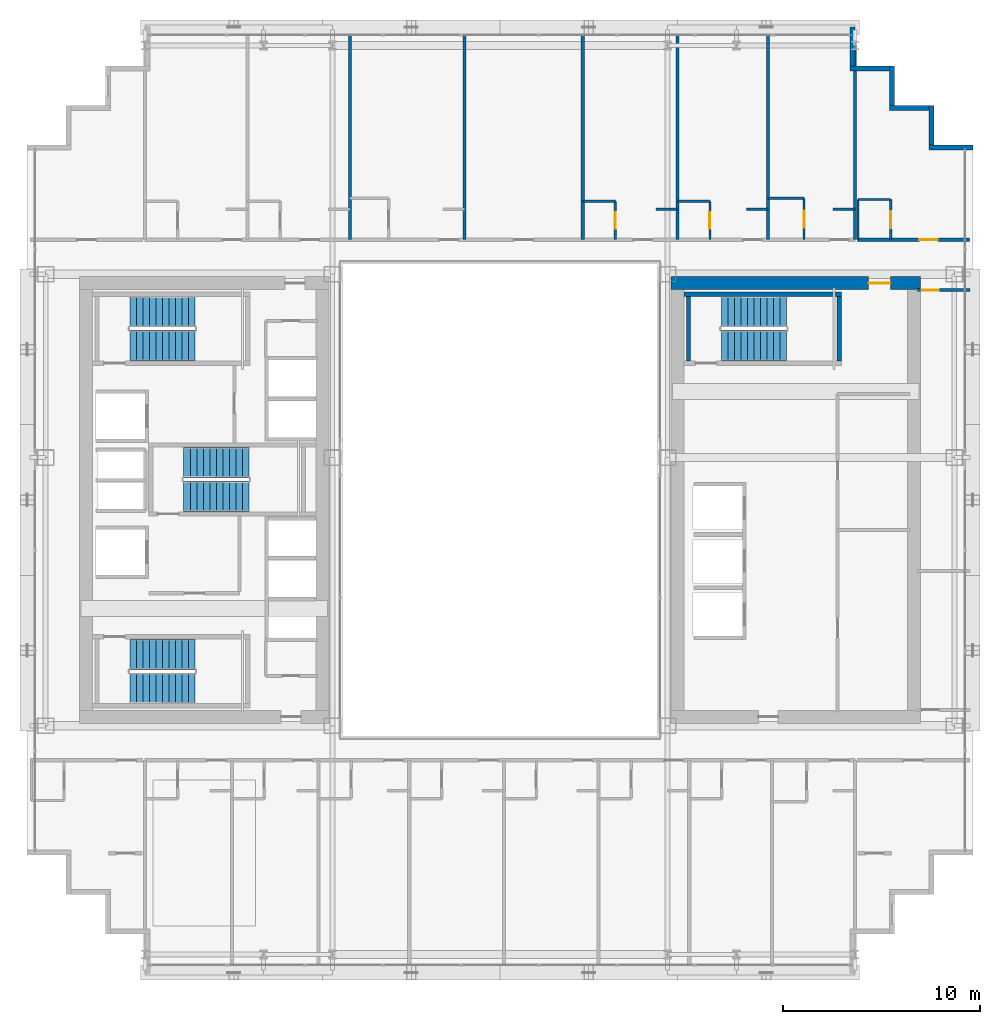
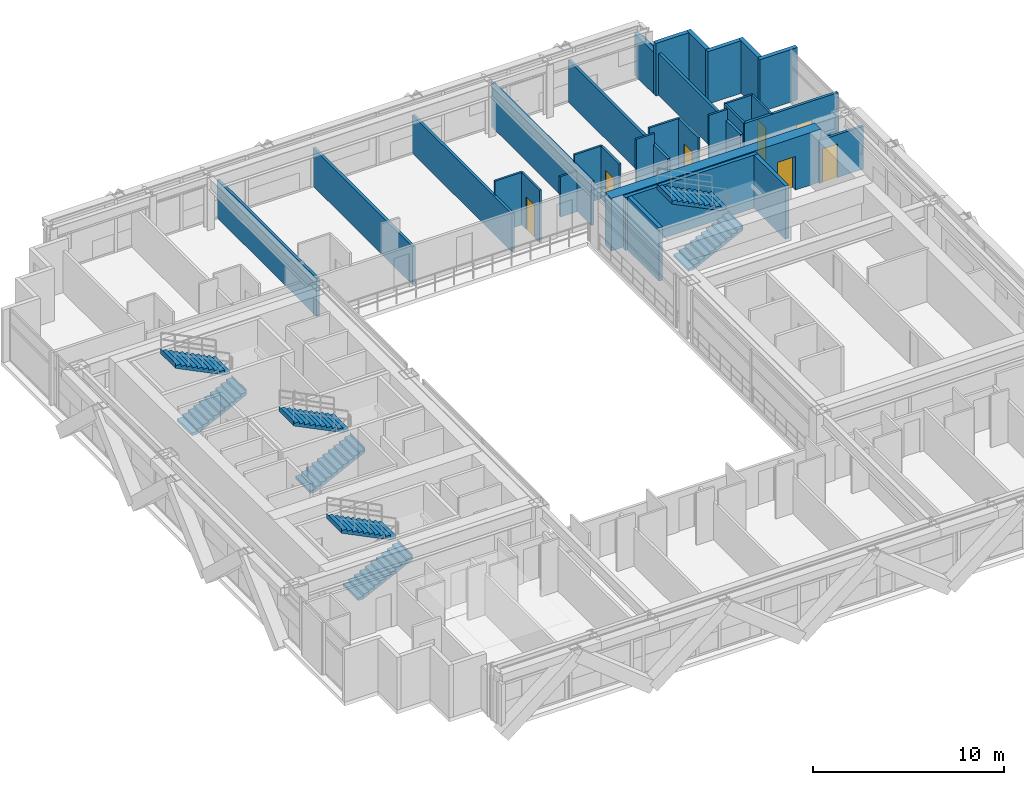
# One storey, part 35 of 39: 30 walls, 8 stair flights, 7 doors, 7 openings, 4 elements without a shape of their own.
"""IFC4 building model written with IfcOpenShell, lengths in metres."""

from ifc_helpers import new_model, si_unit, direction, frame, frame_2d, origin, place, context, subcontext, project, spatial, polyline, rectangle, outline, extrude, source, transform, mapped, material, layer, layer_set, type_object, element, fill, aggregate, save


model = new_model("IFC4")

# Units and contexts
model_context = context("Model", 3, precision=1e-05, world=origin(), true_north=direction((0.0, 1.0)))
body_context = subcontext(model_context, "Body", "Model", "MODEL_VIEW")
ifc_project = project(units=[si_unit("LENGTHUNIT", "METRE"), si_unit("AREAUNIT", "SQUARE_METRE"), si_unit("VOLUMEUNIT", "CUBIC_METRE"), si_unit("PLANEANGLEUNIT", "RADIAN"), si_unit("MASSUNIT", "GRAM", prefix="KILO")], contexts=[model_context])

# Site, building, storey
site_placement = place(None, origin())
site = spatial("IfcSite", under=ifc_project, at=site_placement, CompositionType="ELEMENT")
building_placement = place(site_placement, origin())
building = spatial("IfcBuilding", under=site, at=building_placement, Name="Ocotamira Hotel", CompositionType="ELEMENT")
storey_placement = place(building_placement, frame((0.0, 0.0, 104.39990234375)))
storey = spatial("IfcBuildingStorey", under=building, at=storey_placement, Name="L25", CompositionType="ELEMENT", Elevation=104.39990234375)

# Wall, opening, door
ifc_material_1 = material(Name="Concrete C60/75", Category="concrete")
ifc_layer_1 = layer(ifc_material_1, 0.64990234375)
ifc_layer_set_1 = layer_set([ifc_layer_1], Name="Concrete C60/75")
wall_type_1 = type_object("IfcWallType", Name="WL-CORE-650", PredefinedType="SHEAR", material=ifc_layer_set_1)
wall_1_placement = place(storey_placement, frame((40.675048828125, 37.0, 0.0), z_axis=(0.0, 0.0, 1.0), x_axis=(1.0, 0.0, 0.0)))
wall_1 = element("IfcWall", 1, at=wall_1_placement, inside=storey, type_object=wall_type_1, Name="L25 Shear Core Wall ECORE-N", PredefinedType="SHEAR", context=body_context, shape_type="SweptSolid", body=[
    extrude(rectangle(XDim=12.64990234375, YDim=0.64990234375, at=frame_2d((6.324951171875, 0.0))), origin(), (0.0, 0.0, 1.0), 3.360107421875),
])
opening_1_placement = place(wall_1_placement, frame((10.02490234375, 0.0, 0.0)))
opening_1 = element("IfcOpeningElement", 2, at=opening_1_placement, cuts=wall_1, Name="Opening D-FR1", PredefinedType="OPENING", context=body_context, shape_type="SweptSolid", body=[
    extrude(rectangle(XDim=1.10009765625, YDim=2.14990234375, at=frame_2d((0.550048828125, 1.074951171875))), frame((0.0, 0.3349609375, 0.0), z_axis=(0.0, -1.0, 0.0), x_axis=(1.0, 0.0, 0.0)), (0.0, 0.0, 1.0), 0.669921875),
])
ifc_material_2 = material(Name="Fire-rated acoustic timber-veneer door", Category="wood")
door_type_1 = type_object("IfcDoorType", Name="DR-FIRE-1100", OperationType="NOTDEFINED", PredefinedType="DOOR", material=ifc_material_2)
shared_shape_1 = source(origin(), body_context, "Body", "SweptSolid", [
    extrude(rectangle(XDim=1.10009765625, YDim=2.14990234375, at=frame_2d((0.550048828125, 1.074951171875))), frame((0.0, 0.02490234375, 0.0), z_axis=(0.0, -1.0, 0.0), x_axis=(1.0, 0.0, 0.0)), (0.0, 0.0, 1.0), 0.050048828125),
])
door_1_placement = place(opening_1_placement, origin())
door_1 = element("IfcDoor", 3, at=door_1_placement, inside=storey, type_object=door_type_1, Name="L25 Door ID-L25-ELOB-N-D [ID-L25-ELOB-N-D]", OperationType="SINGLE_SWING_LEFT", OverallHeight=2.14990234375, OverallWidth=1.10009765625, PredefinedType="DOOR", context=body_context, shape_type="MappedRepresentation", body=[
    mapped(shared_shape_1, transform((0.0, 0.0, 0.0), scale=1.0)),
])
fill(opening_1, door_1)

# Walls
ifc_material_3 = material(Name="Precast concrete C45/55", Category="concrete")
ifc_layer_2 = layer(ifc_material_3, 0.25)
ifc_layer_set_2 = layer_set([ifc_layer_2], Name="Precast concrete C45/55")
wall_type_2 = type_object("IfcWallType", Name="WL-EXT-SER-250", PredefinedType="SOLIDWALL", material=ifc_layer_set_2)
wall_2_placement = place(storey_placement, frame((56.0, 43.875, 0.0), z_axis=(0.0, 0.0, 1.0), x_axis=(-1.0, 0.0, 0.0)))
element("IfcWall", 4, at=wall_2_placement, inside=storey, type_object=wall_type_2, Name="L25 Serrated Corner Wall 07", PredefinedType="SOLIDWALL", context=body_context, shape_type="SweptSolid", body=[
    extrude(rectangle(XDim=2.25, YDim=0.25, at=frame_2d((1.125, 0.0))), origin(), (0.0, 0.0, 1.0), 3.360107421875),
])
for number, where, z_axis, x_axis, name in (
    (5, (53.875, 44.0, 0.0), (0.0, 0.0, 1.0), (0.0, 1.0, 0.0), "L25 Serrated Corner Wall 08"),
    (6, (53.75, 45.875, 0.0), (0.0, 0.0, 1.0), (-1.0, 0.0, 0.0), "L25 Serrated Corner Wall 09"),
    (7, (51.875, 46.0, 0.0), (0.0, 0.0, 1.0), (0.0, 1.0, 0.0), "L25 Serrated Corner Wall 10"),
    (8, (51.75, 47.875, 0.0), (0.0, 0.0, 1.0), (-1.0, 0.0, 0.0), "L25 Serrated Corner Wall 11"),
):
    element("IfcWall", number, at=place(storey_placement, frame(where, z_axis=z_axis, x_axis=x_axis)), inside=storey, type_object=wall_type_2, Name=name, PredefinedType="SOLIDWALL", context=body_context, shape_type="SweptSolid", body=[
        extrude(rectangle(XDim=2.0, YDim=0.25, at=frame_2d((1.0, 0.0))), origin(), (0.0, 0.0, 1.0), 3.360107421875),
    ])
wall_3_placement = place(storey_placement, frame((49.875, 48.0, 0.0), z_axis=(0.0, 0.0, 1.0), x_axis=(0.0, 1.0, 0.0)))
element("IfcWall", 9, at=wall_3_placement, inside=storey, type_object=wall_type_2, Name="L25 Serrated Corner Wall 12", PredefinedType="SOLIDWALL", context=body_context, shape_type="SweptSolid", body=[
    extrude(rectangle(XDim=2.0, YDim=0.25, at=frame_2d((1.0, 0.0))), origin(), (0.0, 0.0, 1.0), 2.6669921875),
])

# Wall, opening, door
ifc_material_4 = material(Name="Acoustic double-layer fire gypsum board partition", Category="gypsum")
ifc_layer_3 = layer(ifc_material_4, 0.159912109375)
ifc_layer_set_3 = layer_set([ifc_layer_3], Name="Acoustic double-layer fire gypsum board partition")
wall_type_3 = type_object("IfcWallType", Name="WL-FIRE-160", PredefinedType="PARTITIONING", material=ifc_layer_set_3)
wall_4_placement = place(storey_placement, frame((50.1201171875, 39.199951171875, 0.0), z_axis=(0.0, 0.0, 1.0), x_axis=(1.0, 0.0, 0.0)))
wall_4 = element("IfcWall", 10, at=wall_4_placement, inside=storey, type_object=wall_type_3, Name="L25 Interior Wall PW-L25-Z2A-CNE-CW", PredefinedType="PARTITIONING", context=body_context, shape_type="SweptSolid", body=[
    extrude(rectangle(XDim=5.679931640625, YDim=0.159912109375, at=frame_2d((2.83984375, 0.0))), origin(), (0.0, 0.0, 1.0), 3.360107421875),
])
opening_2_placement = place(wall_4_placement, frame((3.14990234375, 0.0, 0.0)))
opening_2 = element("IfcOpeningElement", 11, at=opening_2_placement, cuts=wall_4, Name="Opening D-GR1", PredefinedType="OPENING", context=body_context, shape_type="SweptSolid", body=[
    extrude(rectangle(XDim=0.93994140625, YDim=2.14990234375, at=frame_2d((0.469970703125, 1.074951171875))), frame((0.0, 0.08984375, 0.0), z_axis=(0.0, -1.0, 0.0), x_axis=(1.0, 0.0, 0.0)), (0.0, 0.0, 1.0), 0.179931640625),
])
ifc_material_5 = material(Name="Solid-core walnut suite entrance fire door", Category="wood")
door_type_2 = type_object("IfcDoorType", Name="DR-GUEST-940", OperationType="NOTDEFINED", PredefinedType="DOOR", material=ifc_material_5)
shared_shape_2 = source(origin(), body_context, "Body", "SweptSolid", [
    extrude(rectangle(XDim=0.93994140625, YDim=2.14990234375, at=frame_2d((0.469970703125, 1.074951171875))), frame((0.0, 0.02490234375, 0.0), z_axis=(0.0, -1.0, 0.0), x_axis=(1.0, 0.0, 0.0)), (0.0, 0.0, 1.0), 0.050048828125),
])
door_2_placement = place(opening_2_placement, origin())
door_2 = element("IfcDoor", 12, at=door_2_placement, inside=storey, type_object=door_type_2, Name="L25 Door ID-L25-Z2A-CNE-CD [ID-L25-Z2A-CNE-CD]", OperationType="SINGLE_SWING_RIGHT", OverallHeight=2.14990234375, OverallWidth=0.93994140625, PredefinedType="DOOR", context=body_context, shape_type="MappedRepresentation", body=[
    mapped(shared_shape_2, transform((0.0, 0.0, 0.0), scale=1.0)),
])
fill(opening_2, door_2)

ifc_material_6 = material(Name="Moisture-resistant en-suite tile and gypsum partition", Category="gypsum")
ifc_layer_4 = layer(ifc_material_6, 0.1201171875)
ifc_layer_set_4 = layer_set([ifc_layer_4], Name="Moisture-resistant en-suite tile and gypsum partition")
wall_type_4 = type_object("IfcWallType", Name="WL-PART-120", PredefinedType="PARTITIONING", material=ifc_layer_set_4)
wall_5_placement = place(storey_placement, frame((51.81005859375, 39.199951171875, 0.0), z_axis=(0.0, 0.0, 1.0), x_axis=(0.0, 1.0, 0.0)))
wall_5 = element("IfcWall", 13, at=wall_5_placement, inside=storey, type_object=wall_type_4, Name="L25 Interior Wall PW-L25-Z2A-CNE-BE", PredefinedType="PARTITIONING", context=body_context, shape_type="SweptSolid", body=[
    extrude(rectangle(XDim=2.0400390625, YDim=0.1201171875, at=frame_2d((1.02001953125, 0.0))), origin(), (0.0, 0.0, 1.0), 3.360107421875),
])
opening_3_placement = place(wall_5_placement, frame((0.590087890625, 0.0, 0.0)))
opening_3 = element("IfcOpeningElement", 14, at=opening_3_placement, cuts=wall_5, Name="Opening D-BA1", PredefinedType="OPENING", context=body_context, shape_type="SweptSolid", body=[
    extrude(rectangle(XDim=0.860107421875, YDim=2.10009765625, at=frame_2d((0.43017578125, 1.050048828125))), frame((0.0, 0.070068359375, 0.0), z_axis=(0.0, -1.0, 0.0), x_axis=(1.0, 0.0, 0.0)), (0.0, 0.0, 1.0), 0.14013671875),
])
ifc_material_7 = material(Name="Moisture-sealed en-suite timber door", Category="wood")
door_type_3 = type_object("IfcDoorType", Name="DR-BATH-860", OperationType="NOTDEFINED", PredefinedType="DOOR", material=ifc_material_7)
shared_shape_3 = source(origin(), body_context, "Body", "SweptSolid", [
    extrude(rectangle(XDim=0.860107421875, YDim=2.10009765625, at=frame_2d((0.43017578125, 1.050048828125))), frame((0.0, 0.02490234375, 0.0), z_axis=(0.0, -1.0, 0.0), x_axis=(1.0, 0.0, 0.0)), (0.0, 0.0, 1.0), 0.050048828125),
])
door_3_placement = place(opening_3_placement, origin())
door_3 = element("IfcDoor", 15, at=door_3_placement, inside=storey, type_object=door_type_3, Name="L25 Door ID-L25-Z2A-CNE-BD [ID-L25-Z2A-CNE-BD]", OperationType="SINGLE_SWING_LEFT", OverallHeight=2.10009765625, OverallWidth=0.860107421875, PredefinedType="DOOR", context=body_context, shape_type="MappedRepresentation", body=[
    mapped(shared_shape_3, transform((0.0, 0.0, 0.0), scale=1.0)),
])
fill(opening_3, door_3)

# Walls
wall_6_placement = place(storey_placement, frame((50.159912109375, 39.199951171875, 0.0), z_axis=(0.0, 0.0, 1.0), x_axis=(0.0, 1.0, 0.0)))
element("IfcWall", 16, at=wall_6_placement, inside=storey, type_object=wall_type_4, Name="L25 Interior Wall PW-L25-Z2A-CNE-BW", PredefinedType="PARTITIONING", context=body_context, shape_type="SweptSolid", body=[
    extrude(rectangle(XDim=2.0400390625, YDim=0.1201171875, at=frame_2d((1.02001953125, 0.0))), origin(), (0.0, 0.0, 1.0), 3.360107421875),
])
wall_7_placement = place(storey_placement, frame((50.159912109375, 41.239990234375, 0.0), z_axis=(0.0, 0.0, 1.0), x_axis=(1.0, 0.0, 0.0)))
element("IfcWall", 17, at=wall_7_placement, inside=storey, type_object=wall_type_4, Name="L25 Interior Wall PW-L25-Z2A-CNE-BH", PredefinedType="PARTITIONING", context=body_context, shape_type="SweptSolid", body=[
    extrude(rectangle(XDim=1.650146484375, YDim=0.1201171875, at=frame_2d((0.8251953125, 0.0))), origin(), (0.0, 0.0, 1.0), 3.360107421875),
])

# Wall, opening, door
wall_8_placement = place(storey_placement, frame((37.85009765625, 39.199951171875, 0.0), z_axis=(0.0, 0.0, 1.0), x_axis=(0.0, 1.0, 0.0)))
wall_8 = element("IfcWall", 18, at=wall_8_placement, inside=storey, type_object=wall_type_4, Name="L25 Interior Wall PW-L25-Z2AN-BAE5", PredefinedType="PARTITIONING", context=body_context, shape_type="SweptSolid", body=[
    extrude(rectangle(XDim=1.949951171875, YDim=0.1201171875, at=frame_2d((0.97509765625, 0.0))), origin(), (0.0, 0.0, 1.0), 3.360107421875),
])
opening_4_placement = place(wall_8_placement, frame((0.544921875, 0.0, 0.0)))
opening_4 = element("IfcOpeningElement", 19, at=opening_4_placement, cuts=wall_8, Name="Opening D-BA1", PredefinedType="OPENING", context=body_context, shape_type="SweptSolid", body=[
    extrude(rectangle(XDim=0.860107421875, YDim=2.10009765625, at=frame_2d((0.43017578125, 1.050048828125))), frame((0.0, 0.070068359375, 0.0), z_axis=(0.0, -1.0, 0.0), x_axis=(1.0, 0.0, 0.0)), (0.0, 0.0, 1.0), 0.14013671875),
])
door_4_placement = place(opening_4_placement, origin())
door_4 = element("IfcDoor", 20, at=door_4_placement, inside=storey, type_object=door_type_3, Name="L25 Door ID-L25-Z2AN-BAD5 [ID-L25-Z2AN-BAD5]", OperationType="SINGLE_SWING_RIGHT", OverallHeight=2.10009765625, OverallWidth=0.860107421875, PredefinedType="DOOR", context=body_context, shape_type="MappedRepresentation", body=[
    mapped(shared_shape_3, transform((0.0, 0.0, 0.0), scale=1.0)),
])
fill(opening_4, door_4)

# Walls
wall_9_placement = place(storey_placement, frame((36.199951171875, 41.14990234375, 0.0), z_axis=(0.0, 0.0, 1.0), x_axis=(1.0, 0.0, 0.0)))
element("IfcWall", 21, at=wall_9_placement, inside=storey, type_object=wall_type_4, Name="L25 Interior Wall PW-L25-Z2AN-BAN5", PredefinedType="PARTITIONING", context=body_context, shape_type="SweptSolid", body=[
    extrude(rectangle(XDim=1.650146484375, YDim=0.1201171875, at=frame_2d((0.8251953125, 0.0))), origin(), (0.0, 0.0, 1.0), 3.360107421875),
])
wall_10_placement = place(storey_placement, frame((39.89990234375, 40.75, 0.0), z_axis=(0.0, 0.0, 1.0), x_axis=(1.0, 0.0, 0.0)))
element("IfcWall", 22, at=wall_10_placement, inside=storey, type_object=wall_type_4, Name="L25 Interior Wall PW-L25-Z2AN-DRN5", PredefinedType="PARTITIONING", context=body_context, shape_type="SweptSolid", body=[
    extrude(rectangle(XDim=1.10009765625, YDim=0.1201171875, at=frame_2d((0.550048828125, 0.0))), origin(), (0.0, 0.0, 1.0), 2.5810546875),
])

# Wall, opening, door
wall_11_placement = place(storey_placement, frame((42.64990234375, 39.199951171875, 0.0), z_axis=(0.0, 0.0, 1.0), x_axis=(0.0, 1.0, 0.0)))
wall_11 = element("IfcWall", 23, at=wall_11_placement, inside=storey, type_object=wall_type_4, Name="L25 Interior Wall PW-L25-Z2AN-BAE6", PredefinedType="PARTITIONING", context=body_context, shape_type="SweptSolid", body=[
    extrude(rectangle(XDim=1.949951171875, YDim=0.1201171875, at=frame_2d((0.97509765625, 0.0))), origin(), (0.0, 0.0, 1.0), 3.360107421875),
])
opening_5_placement = place(wall_11_placement, frame((0.544921875, 0.0, 0.0)))
opening_5 = element("IfcOpeningElement", 24, at=opening_5_placement, cuts=wall_11, Name="Opening D-BA1", PredefinedType="OPENING", context=body_context, shape_type="SweptSolid", body=[
    extrude(rectangle(XDim=0.860107421875, YDim=2.10009765625, at=frame_2d((0.43017578125, 1.050048828125))), frame((0.0, 0.070068359375, 0.0), z_axis=(0.0, -1.0, 0.0), x_axis=(1.0, 0.0, 0.0)), (0.0, 0.0, 1.0), 0.14013671875),
])
door_5_placement = place(opening_5_placement, origin())
door_5 = element("IfcDoor", 25, at=door_5_placement, inside=storey, type_object=door_type_3, Name="L25 Door ID-L25-Z2AN-BAD6 [ID-L25-Z2AN-BAD6]", OperationType="SINGLE_SWING_LEFT", OverallHeight=2.10009765625, OverallWidth=0.860107421875, PredefinedType="DOOR", context=body_context, shape_type="MappedRepresentation", body=[
    mapped(shared_shape_3, transform((0.0, 0.0, 0.0), scale=1.0)),
])
fill(opening_5, door_5)

# Walls
wall_12_placement = place(storey_placement, frame((41.0, 41.14990234375, 0.0), z_axis=(0.0, 0.0, 1.0), x_axis=(1.0, 0.0, 0.0)))
element("IfcWall", 26, at=wall_12_placement, inside=storey, type_object=wall_type_4, Name="L25 Interior Wall PW-L25-Z2AN-BAN6", PredefinedType="PARTITIONING", context=body_context, shape_type="SweptSolid", body=[
    extrude(rectangle(XDim=1.64990234375, YDim=0.1201171875, at=frame_2d((0.824951171875, 0.0))), origin(), (0.0, 0.0, 1.0), 3.360107421875),
])
wall_13_placement = place(storey_placement, frame((44.5, 40.75, 0.0), z_axis=(0.0, 0.0, 1.0), x_axis=(1.0, 0.0, 0.0)))
element("IfcWall", 27, at=wall_13_placement, inside=storey, type_object=wall_type_4, Name="L25 Interior Wall PW-L25-Z2AN-DRN6", PredefinedType="PARTITIONING", context=body_context, shape_type="SweptSolid", body=[
    extrude(rectangle(XDim=1.10009765625, YDim=0.1201171875, at=frame_2d((0.550048828125, 0.0))), origin(), (0.0, 0.0, 1.0), 3.360107421875),
])

# Wall, opening, door
wall_14_placement = place(storey_placement, frame((47.419921875, 39.199951171875, 0.0), z_axis=(0.0, 0.0, 1.0), x_axis=(0.0, 1.0, 0.0)))
wall_14 = element("IfcWall", 28, at=wall_14_placement, inside=storey, type_object=wall_type_4, Name="L25 Interior Wall PW-L25-Z2AN-BAE7", PredefinedType="PARTITIONING", context=body_context, shape_type="SweptSolid", body=[
    extrude(rectangle(XDim=2.10009765625, YDim=0.1201171875, at=frame_2d((1.050048828125, 0.0))), origin(), (0.0, 0.0, 1.0), 3.360107421875),
])
opening_6_placement = place(wall_14_placement, frame((0.6201171875, 0.0, 0.0)))
opening_6 = element("IfcOpeningElement", 29, at=opening_6_placement, cuts=wall_14, Name="Opening D-BA1", PredefinedType="OPENING", context=body_context, shape_type="SweptSolid", body=[
    extrude(rectangle(XDim=0.860107421875, YDim=2.10009765625, at=frame_2d((0.43017578125, 1.050048828125))), frame((0.0, 0.070068359375, 0.0), z_axis=(0.0, -1.0, 0.0), x_axis=(1.0, 0.0, 0.0)), (0.0, 0.0, 1.0), 0.14013671875),
])
door_6_placement = place(opening_6_placement, origin())
door_6 = element("IfcDoor", 30, at=door_6_placement, inside=storey, type_object=door_type_3, Name="L25 Door ID-L25-Z2AN-BAD7 [ID-L25-Z2AN-BAD7]", OperationType="SINGLE_SWING_RIGHT", OverallHeight=2.10009765625, OverallWidth=0.860107421875, PredefinedType="DOOR", context=body_context, shape_type="MappedRepresentation", body=[
    mapped(shared_shape_3, transform((0.0, 0.0, 0.0), scale=1.0)),
])
fill(opening_6, door_6)

# Walls
wall_15_placement = place(storey_placement, frame((45.60009765625, 41.300048828125, 0.0), z_axis=(0.0, 0.0, 1.0), x_axis=(1.0, 0.0, 0.0)))
element("IfcWall", 31, at=wall_15_placement, inside=storey, type_object=wall_type_4, Name="L25 Interior Wall PW-L25-Z2AN-BAN7", PredefinedType="PARTITIONING", context=body_context, shape_type="SweptSolid", body=[
    extrude(rectangle(XDim=1.81982421875, YDim=0.1201171875, at=frame_2d((0.909912109375, 0.0))), origin(), (0.0, 0.0, 1.0), 3.360107421875),
])
wall_16_placement = place(storey_placement, frame((48.89990234375, 40.75, 0.0), z_axis=(0.0, 0.0, 1.0), x_axis=(1.0, 0.0, 0.0)))
element("IfcWall", 32, at=wall_16_placement, inside=storey, type_object=wall_type_4, Name="L25 Interior Wall PW-L25-Z2AN-DRN7", PredefinedType="PARTITIONING", context=body_context, shape_type="SweptSolid", body=[
    extrude(rectangle(XDim=1.10009765625, YDim=0.1201171875, at=frame_2d((0.550048828125, 0.0))), origin(), (0.0, 0.0, 1.0), 3.360107421875),
])

# Wall, opening, door
ifc_material_8 = material(Name="Acoustic hospitality gypsum board partition", Category="gypsum")
ifc_layer_5 = layer(ifc_material_8, 0.14990234375)
ifc_layer_set_5 = layer_set([ifc_layer_5], Name="Acoustic hospitality gypsum board partition")
wall_type_5 = type_object("IfcWallType", Name="WL-PART-150", PredefinedType="PARTITIONING", material=ifc_layer_set_5)
wall_17_placement = place(storey_placement, frame((53.179931640625, 36.639892578125, 0.0), z_axis=(0.0, 0.0, 1.0), x_axis=(1.0, 0.0, 0.0)))
wall_17 = element("IfcWall", 33, at=wall_17_placement, inside=storey, type_object=wall_type_5, Name="L25 Interior Wall PW-L25-Z2A-EF-WN", PredefinedType="PARTITIONING", context=body_context, shape_type="SweptSolid", body=[
    extrude(rectangle(XDim=2.66015625, YDim=0.14990234375, at=frame_2d((1.330078125, 0.0))), origin(), (0.0, 0.0, 1.0), 2.7431640625),
])
opening_7_placement = place(wall_17_placement, frame((0.199951171875, 0.0, 0.0)))
opening_7 = element("IfcOpeningElement", 34, at=opening_7_placement, cuts=wall_17, Name="Opening D-SV2", PredefinedType="OPENING", context=body_context, shape_type="SweptSolid", body=[
    extrude(rectangle(XDim=0.8798828125, YDim=2.14990234375, at=frame_2d((0.43994140625, 1.074951171875))), frame((0.0, 0.0849609375, 0.0), z_axis=(0.0, -1.0, 0.0), x_axis=(1.0, 0.0, 0.0)), (0.0, 0.0, 1.0), 0.169921875),
])
ifc_material_9 = material(Name="Fire-rated painted steel service door", Category="steel")
door_type_4 = type_object("IfcDoorType", Name="DR-SERV-880", OperationType="NOTDEFINED", PredefinedType="DOOR", material=ifc_material_9)
shared_shape_4 = source(origin(), body_context, "Body", "SweptSolid", [
    extrude(rectangle(XDim=0.8798828125, YDim=2.14990234375, at=frame_2d((0.43994140625, 1.074951171875))), frame((0.0, 0.02490234375, 0.0), z_axis=(0.0, -1.0, 0.0), x_axis=(1.0, 0.0, 0.0)), (0.0, 0.0, 1.0), 0.050048828125),
])
door_7_placement = place(opening_7_placement, origin())
door_7 = element("IfcDoor", 35, at=door_7_placement, inside=storey, type_object=door_type_4, Name="L25 Door ID-L25-Z2A-EF-DN [ID-L25-Z2A-EF-DN]", OperationType="SINGLE_SWING_LEFT", OverallHeight=2.14990234375, OverallWidth=0.8798828125, PredefinedType="DOOR", context=body_context, shape_type="MappedRepresentation", body=[
    mapped(shared_shape_4, transform((0.0, 0.0, 0.0), scale=1.0)),
])
fill(opening_7, door_7)

# Walls
ifc_material_10 = material(Name="Acoustic double-stud hospitality gypsum partition", Category="gypsum")
ifc_layer_6 = layer(ifc_material_10, 0.159912109375)
ifc_layer_set_6 = layer_set([ifc_layer_6], Name="Acoustic double-stud hospitality gypsum partition")
wall_type_6 = type_object("IfcWallType", Name="WL-PART-160", PredefinedType="PARTITIONING", material=ifc_layer_set_6)
wall_18_placement = place(storey_placement, frame((50.0, 39.199951171875, 0.0), z_axis=(0.0, 0.0, 1.0), x_axis=(0.0, 1.0, 0.0)))
element("IfcWall", 36, at=wall_18_placement, inside=storey, type_object=wall_type_6, Name="L25 Interior Wall PW-L25-Z2AN-PWEND", PredefinedType="PARTITIONING", context=body_context, shape_type="SweptSolid", body=[
    extrude(rectangle(XDim=10.43994140625, YDim=0.159912109375, at=frame_2d((5.219970703125, 0.0))), origin(), (0.0, 0.0, 1.0), 2.6669921875),
])
for number, where, z_axis, x_axis, name in (
    (37, (24.39990234375, 39.199951171875, 0.0), (0.0, 0.0, 1.0), (0.0, 1.0, 0.0), "L25 Interior Wall PW-L25-Z2AN-PW2"),
    (38, (36.199951171875, 39.199951171875, 0.0), (0.0, 0.0, 1.0), (0.0, 1.0, 0.0), "L25 Interior Wall PW-L25-Z2AN-PW4"),
):
    element("IfcWall", number, at=place(storey_placement, frame(where, z_axis=z_axis, x_axis=x_axis)), inside=storey, type_object=wall_type_6, Name=name, PredefinedType="PARTITIONING", context=body_context, shape_type="SweptSolid", body=[
        extrude(rectangle(XDim=10.43994140625, YDim=0.159912109375, at=frame_2d((5.219970703125, 0.0))), origin(), (0.0, 0.0, 1.0), 2.43310546875),
    ])
wall_19_placement = place(storey_placement, frame((41.0, 39.199951171875, 0.0), z_axis=(0.0, 0.0, 1.0), x_axis=(0.0, 1.0, 0.0)))
element("IfcWall", 39, at=wall_19_placement, inside=storey, type_object=wall_type_6, Name="L25 Interior Wall PW-L25-Z2AN-PW5", PredefinedType="PARTITIONING", context=body_context, shape_type="SweptSolid", body=[
    extrude(rectangle(XDim=10.43994140625, YDim=0.159912109375, at=frame_2d((5.219970703125, 0.0))), origin(), (0.0, 0.0, 1.0), 2.822998046875),
])
wall_20_placement = place(storey_placement, frame((45.60009765625, 39.199951171875, 0.0), z_axis=(0.0, 0.0, 1.0), x_axis=(0.0, 1.0, 0.0)))
element("IfcWall", 40, at=wall_20_placement, inside=storey, type_object=wall_type_6, Name="L25 Interior Wall PW-L25-Z2AN-PW6", PredefinedType="PARTITIONING", context=body_context, shape_type="SweptSolid", body=[
    extrude(rectangle(XDim=10.43994140625, YDim=0.159912109375, at=frame_2d((5.219970703125, 0.0))), origin(), (0.0, 0.0, 1.0), 2.6669921875),
])
ifc_material_11 = material(Name="Double-stud suite party gypsum partition", Category="gypsum")
ifc_layer_7 = layer(ifc_material_11, 0.175048828125)
ifc_layer_set_7 = layer_set([ifc_layer_7], Name="Double-stud suite party gypsum partition")
wall_type_7 = type_object("IfcWallType", Name="WL-PART-175", PredefinedType="PARTITIONING", material=ifc_layer_set_7)
wall_21_placement = place(storey_placement, frame((30.199951171875, 39.199951171875, 0.0), z_axis=(0.0, 0.0, 1.0), x_axis=(0.0, 1.0, 0.0)))
element("IfcWall", 41, at=wall_21_placement, inside=storey, type_object=wall_type_7, Name="L25 Interior Wall PW-L25-Z2AN-PW3", PredefinedType="PARTITIONING", context=body_context, shape_type="SweptSolid", body=[
    extrude(rectangle(XDim=10.43994140625, YDim=0.175048828125, at=frame_2d((5.219970703125, 0.0))), origin(), (0.0, 0.0, 1.0), 2.43310546875),
])
ifc_material_12 = material(Name="Concrete C50/60", Category="concrete")
ifc_layer_8 = layer(ifc_material_12, 0.219970703125)
ifc_layer_set_8 = layer_set([ifc_layer_8], Name="Concrete C50/60")
wall_type_8 = type_object("IfcWallType", Name="WL-STAIR-220", PredefinedType="SHEAR", material=ifc_layer_set_8)
wall_22_placement = place(storey_placement, frame((41.324951171875, 36.43994140625, 0.0), z_axis=(0.0, 0.0, 1.0), x_axis=(1.0, 0.0, 0.0)))
element("IfcWall", 42, at=wall_22_placement, inside=storey, type_object=wall_type_8, Name="L25 Stair Shaft Structural Wall ST-4-N", PredefinedType="SHEAR", context=body_context, shape_type="SweptSolid", body=[
    extrude(rectangle(XDim=7.985107421875, YDim=0.219970703125, at=frame_2d((3.99267578125, 0.0))), origin(), (0.0, 0.0, 1.0), 3.400146484375),
])
for number, where, z_axis, x_axis, name in (
    (43, (41.56005859375, 33.050048828125, 0.0), (0.0, 0.0, 1.0), (0.0, 1.0, 0.0), "L25 Stair Shaft Structural Wall ST-4-W"),
    (44, (49.199951171875, 33.050048828125, 0.0), (0.0, 0.0, 1.0), (0.0, 1.0, 0.0), "L25 Stair Shaft Structural Wall ST-4-E"),
):
    element("IfcWall", number, at=place(storey_placement, frame(where, z_axis=z_axis, x_axis=x_axis)), inside=storey, type_object=wall_type_8, Name=name, PredefinedType="SHEAR", context=body_context, shape_type="SweptSolid", body=[
        extrude(rectangle(XDim=3.280029296875, YDim=0.219970703125, at=frame_2d((1.64013671875, 0.0))), origin(), (0.0, 0.0, 1.0), 3.400146484375),
    ])

# Stair, stair flights
ifc_material_13 = material(Name="Concrete C40/50", Category="concrete")
stair_type = type_object("IfcStairType", Name="ST-CORE-1560", PredefinedType="HALF_TURN_STAIR", material=ifc_material_13)
stair_1_placement = place(storey_placement, origin())
stair_1 = element("IfcStair", 45, at=stair_1_placement, inside=storey, type_object=stair_type, Name="L25 Exit Stair ST-1", PredefinedType="HALF_TURN_STAIR")
stair_flight_type = type_object("IfcStairFlightType", Name="STF-CORE-1560", PredefinedType="STRAIGHT", material=ifc_material_13)
shared_shape_5 = source(origin(), body_context, "Body", "SweptSolid", [
    extrude(outline(polyline([(-0.00390625, 0.0), (-0.00390625, 0.16357421875), (0.330078125, 0.16357421875), (0.330078125, 0.327392578125), (0.659912109375, 0.327392578125), (0.659912109375, 0.490966796875), (0.989990234375, 0.490966796875), (0.989990234375, 0.654541015625), (1.320068359375, 0.654541015625), (1.320068359375, 0.818115234375), (1.64990234375, 0.818115234375), (1.64990234375, 0.98193359375), (1.97998046875, 0.98193359375), (1.97998046875, 1.1455078125), (2.31005859375, 1.1455078125), (2.31005859375, 1.30908203125), (2.639892578125, 1.30908203125), (2.639892578125, 1.47265625), (2.969970703125, 1.47265625), (2.969970703125, 1.636474609375), (3.300048828125, 1.636474609375), (3.300048828125, 1.800048828125), (3.303955078125, 1.800048828125), (3.303955078125, 1.468994140625), (0.33740234375, 0.0), (-0.00390625, 0.0)])), frame((0.0, 0.780029296875, 0.0), z_axis=(0.0, -1.0, 0.0), x_axis=(1.0, 0.0, 0.0)), (0.0, 0.0, 1.0), 1.56005859375),
])
stair_flight_1_placement = place(storey_placement, frame((13.22998046875, 16.449951171875, 0.0), z_axis=(0.0, 0.0, 1.0), x_axis=(1.0, 0.0, 0.0)))
stair_flight_1 = element("IfcStairFlight", 46, at=stair_flight_1_placement, type_object=stair_flight_type, Name="ST-1 flight 1", NumberOfRisers=11, NumberOfTreads=10, PredefinedType="STRAIGHT", RiserHeight=0.163636364, TreadLength=0.33, context=body_context, shape_type="MappedRepresentation", body=[
    mapped(shared_shape_5, transform((0.0, 0.0, 0.0), scale=1.0)),
])
stair_flight_2_placement = place(storey_placement, frame((16.530029296875, 18.169921875, 1.800048828125), z_axis=(0.0, 0.0, 1.0), x_axis=(-1.0, 0.0, 0.0)))
stair_flight_2 = element("IfcStairFlight", 47, at=stair_flight_2_placement, type_object=stair_flight_type, Name="ST-1 flight 2", NumberOfRisers=11, NumberOfTreads=10, PredefinedType="STRAIGHT", RiserHeight=0.163636364, TreadLength=0.33, context=body_context, shape_type="MappedRepresentation", body=[
    mapped(shared_shape_5, transform((0.0, 0.0, 0.0), scale=1.0)),
])
aggregate(stair_1, [stair_flight_1, stair_flight_2])

stair_2_placement = place(storey_placement, origin())
stair_2 = element("IfcStair", 48, at=stair_2_placement, inside=storey, type_object=stair_type, Name="L25 Exit Stair ST-2", PredefinedType="HALF_TURN_STAIR")
stair_flight_3_placement = place(storey_placement, frame((13.22998046875, 33.830078125, 0.0), z_axis=(0.0, 0.0, 1.0), x_axis=(1.0, 0.0, 0.0)))
stair_flight_3 = element("IfcStairFlight", 49, at=stair_flight_3_placement, type_object=stair_flight_type, Name="ST-2 flight 1", NumberOfRisers=11, NumberOfTreads=10, PredefinedType="STRAIGHT", RiserHeight=0.163636364, TreadLength=0.33, context=body_context, shape_type="MappedRepresentation", body=[
    mapped(shared_shape_5, transform((0.0, 0.0, 0.0), scale=1.0)),
])
stair_flight_4_placement = place(storey_placement, frame((16.530029296875, 35.550048828125, 1.800048828125), z_axis=(0.0, 0.0, 1.0), x_axis=(-1.0, 0.0, 0.0)))
stair_flight_4 = element("IfcStairFlight", 50, at=stair_flight_4_placement, type_object=stair_flight_type, Name="ST-2 flight 2", NumberOfRisers=11, NumberOfTreads=10, PredefinedType="STRAIGHT", RiserHeight=0.163636364, TreadLength=0.33, context=body_context, shape_type="MappedRepresentation", body=[
    mapped(shared_shape_5, transform((0.0, 0.0, 0.0), scale=1.0)),
])
aggregate(stair_2, [stair_flight_3, stair_flight_4])

stair_3_placement = place(storey_placement, origin())
stair_3 = element("IfcStair", 51, at=stair_3_placement, inside=storey, type_object=stair_type, Name="L25 Exit Stair ST-3", PredefinedType="HALF_TURN_STAIR")
stair_flight_5_placement = place(storey_placement, frame((15.9599609375, 26.179931640625, 0.0), z_axis=(0.0, 0.0, 1.0), x_axis=(1.0, 0.0, 0.0)))
stair_flight_5 = element("IfcStairFlight", 52, at=stair_flight_5_placement, type_object=stair_flight_type, Name="ST-3 flight 1", NumberOfRisers=11, NumberOfTreads=10, PredefinedType="STRAIGHT", RiserHeight=0.163636364, TreadLength=0.33, context=body_context, shape_type="MappedRepresentation", body=[
    mapped(shared_shape_5, transform((0.0, 0.0, 0.0), scale=1.0)),
])
stair_flight_6_placement = place(storey_placement, frame((19.260009765625, 27.89990234375, 1.800048828125), z_axis=(0.0, 0.0, 1.0), x_axis=(-1.0, 0.0, 0.0)))
stair_flight_6 = element("IfcStairFlight", 53, at=stair_flight_6_placement, type_object=stair_flight_type, Name="ST-3 flight 2", NumberOfRisers=11, NumberOfTreads=10, PredefinedType="STRAIGHT", RiserHeight=0.163636364, TreadLength=0.33, context=body_context, shape_type="MappedRepresentation", body=[
    mapped(shared_shape_5, transform((0.0, 0.0, 0.0), scale=1.0)),
])
aggregate(stair_3, [stair_flight_5, stair_flight_6])

stair_4_placement = place(storey_placement, origin())
stair_4 = element("IfcStair", 54, at=stair_4_placement, inside=storey, type_object=stair_type, Name="L25 Exit Stair ST-4", PredefinedType="HALF_TURN_STAIR")
stair_flight_7_placement = place(storey_placement, frame((43.22998046875, 33.830078125, 0.0), z_axis=(0.0, 0.0, 1.0), x_axis=(1.0, 0.0, 0.0)))
stair_flight_7 = element("IfcStairFlight", 55, at=stair_flight_7_placement, type_object=stair_flight_type, Name="ST-4 flight 1", NumberOfRisers=11, NumberOfTreads=10, PredefinedType="STRAIGHT", RiserHeight=0.163636364, TreadLength=0.33, context=body_context, shape_type="MappedRepresentation", body=[
    mapped(shared_shape_5, transform((0.0, 0.0, 0.0), scale=1.0)),
])
stair_flight_8_placement = place(storey_placement, frame((46.530029296875, 35.550048828125, 1.800048828125), z_axis=(0.0, 0.0, 1.0), x_axis=(-1.0, 0.0, 0.0)))
stair_flight_8 = element("IfcStairFlight", 56, at=stair_flight_8_placement, type_object=stair_flight_type, Name="ST-4 flight 2", NumberOfRisers=11, NumberOfTreads=10, PredefinedType="STRAIGHT", RiserHeight=0.163636364, TreadLength=0.33, context=body_context, shape_type="MappedRepresentation", body=[
    mapped(shared_shape_5, transform((0.0, 0.0, 0.0), scale=1.0)),
])
aggregate(stair_4, [stair_flight_7, stair_flight_8])

save(model, "model.ifc")
